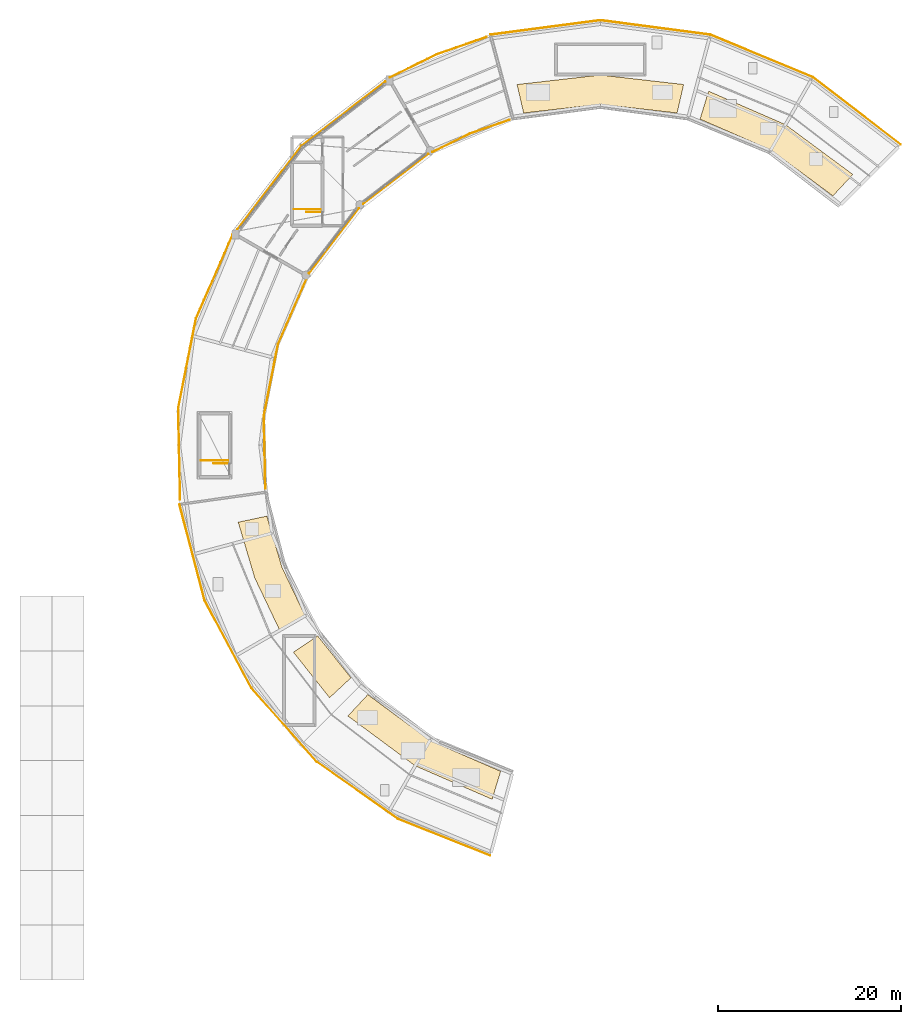
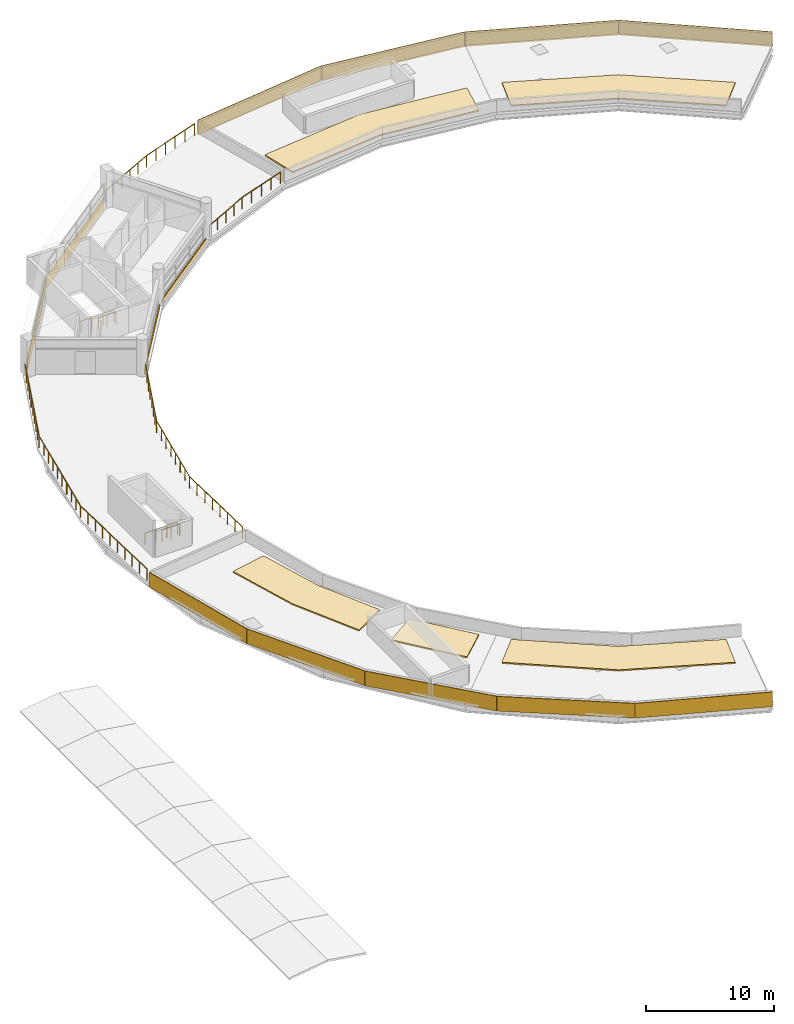
# One storey, part 12 of 12: 18 coverings, 8 railings.
"""IFC4 building model written with IfcOpenShell, lengths in metres."""

from ifc_helpers import new_model, si_unit, direction, frame, frame_2d, origin, origin_2d, place, context, subcontext, project, spatial, polyline, rectangle, circle, outline, extrude, material, layer, layer_set, type_object, element, save


model = new_model("IFC4")

# Units and contexts
model_context = context("Model", 3, precision=1e-05, world=origin(), true_north=direction((0.0, 1.0)))
body_context = subcontext(model_context, "Body", "Model", "MODEL_VIEW")
ifc_project = project(units=[si_unit("LENGTHUNIT", "METRE"), si_unit("AREAUNIT", "SQUARE_METRE"), si_unit("VOLUMEUNIT", "CUBIC_METRE"), si_unit("PLANEANGLEUNIT", "RADIAN"), si_unit("MASSUNIT", "GRAM", prefix="KILO")], contexts=[model_context])

# Site, building, storey
site_placement = place(None, origin())
site = spatial("IfcSite", under=ifc_project, at=site_placement, CompositionType="ELEMENT")
building_placement = place(site_placement, origin())
building = spatial("IfcBuilding", under=site, at=building_placement, Name="Vespera Passage Community Centre", CompositionType="ELEMENT")
storey_placement = place(building_placement, frame((0.0, 0.0, 24.300048828125)))
storey = spatial("IfcBuildingStorey", under=building, at=storey_placement, Name="ROOF", CompositionType="ELEMENT", Elevation=24.300048828125)

# Coverings
ifc_material_1 = material(Name="Precast concrete f'c 40 MPa", Category="concrete")
ifc_layer_1 = layer(ifc_material_1, 0.06005859375)
ifc_layer_set_1 = layer_set([ifc_layer_1], Name="Precast concrete f'c 40 MPa")
covering_type_1 = type_object("IfcCoveringType", Name="COV-CLAD-60E", PredefinedType="CLADDING", material=ifc_layer_set_1)
covering_1_placement = place(storey_placement, frame((45.298828125, 98.232421875, -0.280029296875), z_axis=(0.0, 0.0, 1.0), x_axis=(0.793347191248, 0.608769442514, 0.0)))
element("IfcCovering", 1, at=covering_1_placement, inside=storey, type_object=covering_type_1, Name="V4 ROOF Outer White Spandrel Band O8", PredefinedType="CLADDING", context=body_context, shape_type="SweptSolid", body=[
    extrude(rectangle(XDim=11.5869140625, YDim=0.06005859375, at=frame_2d((5.79345703125, 0.0))), origin(), (0.0, 0.0, 1.0), 1.10009765625),
])
covering_2_placement = place(storey_placement, frame((59.214111328125, 97.378173828125, -0.280029296875), z_axis=(0.0, 0.0, 1.0), x_axis=(-0.793350132061, -0.608765610033, 0.0)))
element("IfcCovering", 2, at=covering_2_placement, inside=storey, type_object=covering_type_1, Name="V4 ROOF Inner Court White Spandrel Band I8", PredefinedType="CLADDING", context=body_context, shape_type="SweptSolid", body=[
    extrude(rectangle(XDim=9.004638671875, YDim=0.06005859375, at=frame_2d((4.50244140625, 0.0))), origin(), (0.0, 0.0, 1.0), 0.429931640625),
])
covering_3_placement = place(storey_placement, frame((38.301025390625, 89.122314453125, -0.280029296875), z_axis=(0.0, 0.0, 1.0), x_axis=(0.608766951842, 0.793349102441, 0.0)))
element("IfcCovering", 3, at=covering_3_placement, inside=storey, type_object=covering_type_1, Name="V4 ROOF Outer White Spandrel Band O9", PredefinedType="CLADDING", context=body_context, shape_type="SweptSolid", body=[
    extrude(rectangle(XDim=11.443603515625, YDim=0.06005859375, at=frame_2d((5.7216796875, 0.0))), origin(), (0.0, 0.0, 1.0), 1.10009765625),
])
covering_4_placement = place(storey_placement, frame((51.603515625, 91.4296875, -0.280029296875), z_axis=(0.0, 0.0, 1.0), x_axis=(-0.608765610033, -0.793350132061, 0.0)))
element("IfcCovering", 4, at=covering_4_placement, inside=storey, type_object=covering_type_1, Name="V4 ROOF Inner Court White Spandrel Band I9", PredefinedType="CLADDING", context=body_context, shape_type="SweptSolid", body=[
    extrude(rectangle(XDim=9.004638671875, YDim=0.06005859375, at=frame_2d((4.50244140625, 0.0))), origin(), (0.0, 0.0, 1.0), 0.429931640625),
])
for number, where, z_axis, x_axis, name in (
    (5, (110.859619140625, 98.385498046875, -0.280029296875), (0.0, 0.0, 1.0), (-0.79334875863, 0.608767399899, 0.0), "V4 Roof Crown White Band E1"),
    (6, (101.228515625, 105.76953125, -0.280029296875), (0.0, 0.0, 1.0), (-0.923879608086, 0.382683249912, 0.0), "V4 Roof Crown White Band E2"),
    (7, (90.0146484375, 110.409423828125, -0.280029296875), (0.0, 0.0, 1.0), (-0.991444884284, 0.130526018203, 0.0), "V4 Roof Crown White Band E3"),
    (8, (77.981689453125, 111.98876953125, -0.280029296875), (0.0, 0.0, 1.0), (-0.991444884284, -0.130526018203, 0.0), "V4 Roof Crown White Band E4"),
):
    element("IfcCovering", number, at=place(storey_placement, frame(where, z_axis=z_axis, x_axis=x_axis)), inside=storey, type_object=covering_type_1, Name=name, PredefinedType="CLADDING", context=body_context, shape_type="SweptSolid", body=[
        extrude(rectangle(XDim=12.099853515625, YDim=0.06005859375, at=frame_2d((6.0498046875, 0.0))), origin(), (0.0, 0.0, 1.0), 1.39990234375),
    ])
for number, where, z_axis, x_axis, name in (
    (9, (31.9658203125, 59.013916015625, -0.280029296875), (0.0, 0.0, 1.0), (0.253747657964, -0.967270451362, 0.0), "V4 Roof Crown White Band W1"),
    (10, (34.72216796875, 48.522216796875, -0.280029296875), (0.0, 0.0, 1.0), (0.470990052133, -0.882138521317, 0.0), "V4 Roof Crown White Band W2"),
):
    element("IfcCovering", number, at=place(storey_placement, frame(where, z_axis=z_axis, x_axis=x_axis)), inside=storey, type_object=covering_type_1, Name=name, PredefinedType="CLADDING", context=body_context, shape_type="SweptSolid", body=[
        extrude(rectangle(XDim=10.8154296875, YDim=0.06005859375, at=frame_2d((5.40771484375, 0.0))), origin(), (0.0, 0.0, 1.0), 1.39990234375),
    ])
covering_5_placement = place(storey_placement, frame((39.834716796875, 38.95458984375, -0.280029296875), z_axis=(0.0, 0.0, 1.0), x_axis=(0.662627457845, -0.748949165237, 0.0)))
element("IfcCovering", 11, at=covering_5_placement, inside=storey, type_object=covering_type_1, Name="V4 Roof Crown White Band W3", PredefinedType="CLADDING", context=body_context, shape_type="SweptSolid", body=[
    extrude(rectangle(XDim=10.815185546875, YDim=0.06005859375, at=frame_2d((5.40771484375, 0.0))), origin(), (0.0, 0.0, 1.0), 1.39990234375),
])
for number, where, z_axis, x_axis, name in (
    (12, (47.025634765625, 30.832763671875, -0.280029296875), (0.0, 0.0, 1.0), (0.818146636057, -0.575009636361, 0.0), "V4 Roof Crown White Band W4"),
    (13, (55.903076171875, 24.59814453125, -0.280029296875), (0.0, 0.0, 1.0), (0.929129107754, -0.369755461249, 0.0), "V4 Roof Crown White Band W5"),
):
    element("IfcCovering", number, at=place(storey_placement, frame(where, z_axis=z_axis, x_axis=x_axis)), inside=storey, type_object=covering_type_1, Name=name, PredefinedType="CLADDING", context=body_context, shape_type="SweptSolid", body=[
        extrude(rectangle(XDim=10.8154296875, YDim=0.06005859375, at=frame_2d((5.40771484375, 0.0))), origin(), (0.0, 0.0, 1.0), 1.39990234375),
    ])
ifc_material_2 = material(Name="TPO roof membrane and rigid insulation")
ifc_layer_2 = layer(ifc_material_2, 0.1201171875)
ifc_layer_set_2 = layer_set([ifc_layer_2], Name="TPO roof membrane and rigid insulation")
covering_type_2 = type_object("IfcCoveringType", Name="COV-ROOF-120E", PredefinedType="ROOFING", material=ifc_layer_set_2)
covering_6_placement = place(storey_placement, origin())
element("IfcCovering", 14, at=covering_6_placement, inside=storey, type_object=covering_type_2, Name="V4 Cool Roof Membrane Sector 1", PredefinedType="ROOFING", context=body_context, shape_type="SweptSolid", body=[
    extrude(outline(polyline([(105.620849609375, 95.119873046875), (98.25, 100.573974609375), (89.841064453125, 104.230224609375), (88.905517578125, 101.170166015625), (96.64990234375, 97.802734375), (103.4384765625, 92.779541015625), (105.620849609375, 95.119873046875)])), origin(), (0.0, 0.0, 1.0), 0.119873046875),
])
covering_7_placement = place(storey_placement, origin())
element("IfcCovering", 15, at=covering_7_placement, inside=storey, type_object=covering_type_2, Name="V4 Cool Roof Membrane Sector 2", PredefinedType="ROOFING", context=body_context, shape_type="SweptSolid", body=[
    extrude(outline(polyline([(87.110595703125, 104.9619140625), (78.0, 106.0), (68.889404296875, 104.9619140625), (69.609375, 101.843994140625), (78.0, 102.800048828125), (86.390625, 101.843994140625), (87.110595703125, 104.9619140625)])), origin(), (0.0, 0.0, 1.0), 0.119873046875),
])
covering_8_placement = place(storey_placement, origin())
element("IfcCovering", 16, at=covering_8_placement, inside=storey, type_object=covering_type_2, Name="V4 Cool Roof Membrane Sector 3", PredefinedType="ROOFING", context=body_context, shape_type="SweptSolid", body=[
    extrude(outline(polyline([(38.385009765625, 57.07958984375), (40.18994140625, 50.986083984375), (42.926025390625, 45.25), (45.697265625, 46.85009765625), (43.177490234375, 52.1328125), (41.51513671875, 57.744873046875), (38.385009765625, 57.07958984375)])), origin(), (0.0, 0.0, 1.0), 0.119873046875),
])
covering_9_placement = place(storey_placement, origin())
element("IfcCovering", 17, at=covering_9_placement, inside=storey, type_object=covering_type_2, Name="V4 Cool Roof Membrane Sector 4", PredefinedType="ROOFING", context=body_context, shape_type="SweptSolid", body=[
    extrude(outline(polyline([(44.424072265625, 42.852783203125), (48.380126953125, 37.879150390625), (50.720458984375, 40.0615234375), (47.076904296875, 44.64208984375), (44.424072265625, 42.852783203125)])), origin(), (0.0, 0.0, 1.0), 0.119873046875),
])
covering_10_placement = place(storey_placement, origin())
element("IfcCovering", 18, at=covering_10_placement, inside=storey, type_object=covering_type_2, Name="V4 Cool Roof Membrane Sector 5", PredefinedType="ROOFING", context=body_context, shape_type="SweptSolid", body=[
    extrude(outline(polyline([(50.379150390625, 35.880126953125), (57.75, 30.426025390625), (66.158935546875, 26.769775390625), (67.094482421875, 29.829833984375), (59.35009765625, 33.197265625), (52.5615234375, 38.220458984375), (50.379150390625, 35.880126953125)])), origin(), (0.0, 0.0, 1.0), 0.119873046875),
])

# Railings
ifc_material_3 = material(Name="Steel ASTM A500 Grade C", Category="steel")
railing_type_1 = type_object("IfcRailingType", Name="RL-EXT-1100E", PredefinedType="GUARDRAIL", material=ifc_material_3)
railing_1_placement = place(storey_placement, frame((65.53564453125, 110.142578125, 0.0)))
element("IfcRailing", 19, at=railing_1_placement, inside=storey, type_object=railing_type_1, Name="ROOF Walkway Outer Guard", PredefinedType="GUARDRAIL", context=body_context, shape_type="SweptSolid", body=[
    extrude(circle(Radius=0.02392578125, at=origin_2d()), frame((0.0, 0.0, 1.09619140625), z_axis=(-0.944657921031, -0.328057025885, 0.0), x_axis=(0.328057025885, -0.944657921031, 0.0)), (0.0, 0.0, 1.0), 5.739990234375),
    extrude(circle(Radius=0.02392578125, at=origin_2d()), frame((-5.42236328125, -1.883056640625, 1.09619140625), z_axis=(-0.896880577838, -0.44227279941, 0.0), x_axis=(0.44227279941, -0.896880577838, 0.0)), (0.0, 0.0, 1.0), 5.73974609375),
    extrude(circle(Radius=0.02099609375, at=origin_2d()), origin(), (0.0, 0.0, 1.0), 1.072021484375),
    extrude(circle(Radius=0.02099609375, at=origin_2d()), frame((-1.08447265625, -0.376708984375, 0.0)), (0.0, 0.0, 1.0), 1.072021484375),
    extrude(circle(Radius=0.02099609375, at=origin_2d()), frame((-2.1689453125, -0.753173828125, 0.0)), (0.0, 0.0, 1.0), 1.072021484375),
    extrude(circle(Radius=0.02099609375, at=origin_2d()), frame((-3.25341796875, -1.1298828125, 0.0)), (0.0, 0.0, 1.0), 1.072021484375),
    extrude(circle(Radius=0.02099609375, at=origin_2d()), frame((-4.337890625, -1.50634765625, 0.0)), (0.0, 0.0, 1.0), 1.072021484375),
    extrude(circle(Radius=0.02099609375, at=origin_2d()), frame((-5.42236328125, -1.883056640625, 0.0)), (0.0, 0.0, 1.0), 1.072021484375),
    extrude(circle(Radius=0.02099609375, at=origin_2d()), frame((-6.451904296875, -2.390869140625, 0.0)), (0.0, 0.0, 1.0), 1.072021484375),
    extrude(circle(Radius=0.02099609375, at=origin_2d()), frame((-7.4814453125, -2.8984375, 0.0)), (0.0, 0.0, 1.0), 1.072021484375),
    extrude(circle(Radius=0.02099609375, at=origin_2d()), frame((-8.51123046875, -3.40625, 0.0)), (0.0, 0.0, 1.0), 1.072021484375),
    extrude(circle(Radius=0.02099609375, at=origin_2d()), frame((-9.540771484375, -3.913818359375, 0.0)), (0.0, 0.0, 1.0), 1.072021484375),
    extrude(circle(Radius=0.02099609375, at=origin_2d()), frame((-10.5703125, -4.421630859375, 0.0)), (0.0, 0.0, 1.0), 1.072021484375),
])
railing_2_placement = place(storey_placement, frame((68.0634765625, 101.0888671875, 0.0)))
element("IfcRailing", 20, at=railing_2_placement, inside=storey, type_object=railing_type_1, Name="ROOF Walkway Inner Guard", PredefinedType="GUARDRAIL", context=body_context, shape_type="SweptSolid", body=[
    extrude(circle(Radius=0.02392578125, at=origin_2d()), frame((0.0, 0.0, 1.09619140625), z_axis=(-0.944672286539, -0.328015656706, 0.0), x_axis=(0.328015656706, -0.944672286539, 0.0)), (0.0, 0.0, 1.0), 4.575927734375),
    extrude(circle(Radius=0.02392578125, at=origin_2d()), frame((-4.32275390625, -1.5009765625, 1.09619140625), z_axis=(-0.896867971363, -0.442298363034, 0.0), x_axis=(0.442298363034, -0.896867971363, 0.0)), (0.0, 0.0, 1.0), 4.575927734375),
    extrude(circle(Radius=0.02099609375, at=origin_2d()), origin(), (0.0, 0.0, 1.0), 1.072021484375),
    extrude(circle(Radius=0.02099609375, at=origin_2d()), frame((-1.08056640625, -0.375244140625, 0.0)), (0.0, 0.0, 1.0), 1.072021484375),
    extrude(circle(Radius=0.02099609375, at=origin_2d()), frame((-2.161376953125, -0.75048828125, 0.0)), (0.0, 0.0, 1.0), 1.072021484375),
    extrude(circle(Radius=0.02099609375, at=origin_2d()), frame((-3.2421875, -1.125732421875, 0.0)), (0.0, 0.0, 1.0), 1.072021484375),
    extrude(circle(Radius=0.02099609375, at=origin_2d()), frame((-4.32275390625, -1.5009765625, 0.0)), (0.0, 0.0, 1.0), 1.072021484375),
    extrude(circle(Radius=0.02099609375, at=origin_2d()), frame((-5.3486328125, -2.0068359375, 0.0)), (0.0, 0.0, 1.0), 1.072021484375),
    extrude(circle(Radius=0.02099609375, at=origin_2d()), frame((-6.374755859375, -2.512939453125, 0.0)), (0.0, 0.0, 1.0), 1.072021484375),
    extrude(circle(Radius=0.02099609375, at=origin_2d()), frame((-7.40087890625, -3.01904296875, 0.0)), (0.0, 0.0, 1.0), 1.072021484375),
    extrude(circle(Radius=0.02099609375, at=origin_2d()), frame((-8.4267578125, -3.52490234375, 0.0)), (0.0, 0.0, 1.0), 1.072021484375),
])
railing_3_placement = place(storey_placement, frame((37.779052734375, 88.53466796875, 0.0)))
element("IfcRailing", 21, at=railing_3_placement, inside=storey, type_object=railing_type_1, Name="ROOF West Walkway Outer Guard", PredefinedType="GUARDRAIL", context=body_context, shape_type="SweptSolid", body=[
    extrude(circle(Radius=0.02392578125, at=origin_2d()), frame((0.0, 0.0, 1.09619140625), z_axis=(-0.400349285853, -0.9163626189, 0.0), x_axis=(0.9163626189, -0.400349285853, 0.0)), (0.0, 0.0, 1.0), 10.011474609375),
    extrude(circle(Radius=0.02392578125, at=origin_2d()), frame((-4.008056640625, -9.174072265625, 1.09619140625), z_axis=(-0.194235231541, -0.98095498104, 0.0), x_axis=(0.98095498104, -0.194235231541, 0.0)), (0.0, 0.0, 1.0), 10.011474609375),
    extrude(circle(Radius=0.02392578125, at=origin_2d()), frame((-5.95263671875, -18.994873046875, 1.09619140625), z_axis=(0.020922758595, -0.999781095127, 0.0), x_axis=(0.999781095127, 0.020922758595, 0.0)), (0.0, 0.0, 1.0), 10.01171875),
    extrude(circle(Radius=0.02099609375, at=origin_2d()), origin(), (0.0, 0.0, 1.0), 1.072021484375),
    extrude(circle(Radius=0.02099609375, at=origin_2d()), frame((-0.4453125, -1.019287109375, 0.0)), (0.0, 0.0, 1.0), 1.072021484375),
    extrude(circle(Radius=0.02099609375, at=origin_2d()), frame((-0.890625, -2.03857421875, 0.0)), (0.0, 0.0, 1.0), 1.072021484375),
    extrude(circle(Radius=0.02099609375, at=origin_2d()), frame((-1.3359375, -3.05810546875, 0.0)), (0.0, 0.0, 1.0), 1.072021484375),
    extrude(circle(Radius=0.02099609375, at=origin_2d()), frame((-1.78125, -4.077392578125, 0.0)), (0.0, 0.0, 1.0), 1.072021484375),
    extrude(circle(Radius=0.02099609375, at=origin_2d()), frame((-2.226806640625, -5.0966796875, 0.0)), (0.0, 0.0, 1.0), 1.072021484375),
    extrude(circle(Radius=0.02099609375, at=origin_2d()), frame((-2.672119140625, -6.115966796875, 0.0)), (0.0, 0.0, 1.0), 1.072021484375),
    extrude(circle(Radius=0.02099609375, at=origin_2d()), frame((-3.117431640625, -7.135498046875, 0.0)), (0.0, 0.0, 1.0), 1.072021484375),
    extrude(circle(Radius=0.02099609375, at=origin_2d()), frame((-3.562744140625, -8.15478515625, 0.0)), (0.0, 0.0, 1.0), 1.072021484375),
    extrude(circle(Radius=0.02099609375, at=origin_2d()), frame((-4.008056640625, -9.174072265625, 0.0)), (0.0, 0.0, 1.0), 1.072021484375),
    extrude(circle(Radius=0.02099609375, at=origin_2d()), frame((-4.22412109375, -10.265380859375, 0.0)), (0.0, 0.0, 1.0), 1.072021484375),
    extrude(circle(Radius=0.02099609375, at=origin_2d()), frame((-4.440185546875, -11.3564453125, 0.0)), (0.0, 0.0, 1.0), 1.072021484375),
    extrude(circle(Radius=0.02099609375, at=origin_2d()), frame((-4.65625, -12.44775390625, 0.0)), (0.0, 0.0, 1.0), 1.072021484375),
    extrude(circle(Radius=0.02099609375, at=origin_2d()), frame((-4.872314453125, -13.538818359375, 0.0)), (0.0, 0.0, 1.0), 1.072021484375),
    extrude(circle(Radius=0.02099609375, at=origin_2d()), frame((-5.08837890625, -14.630126953125, 0.0)), (0.0, 0.0, 1.0), 1.072021484375),
    extrude(circle(Radius=0.02099609375, at=origin_2d()), frame((-5.304443359375, -15.72119140625, 0.0)), (0.0, 0.0, 1.0), 1.072021484375),
    extrude(circle(Radius=0.02099609375, at=origin_2d()), frame((-5.5205078125, -16.8125, 0.0)), (0.0, 0.0, 1.0), 1.072021484375),
    extrude(circle(Radius=0.02099609375, at=origin_2d()), frame((-5.736572265625, -17.903564453125, 0.0)), (0.0, 0.0, 1.0), 1.072021484375),
    extrude(circle(Radius=0.02099609375, at=origin_2d()), frame((-5.95263671875, -18.994873046875, 0.0)), (0.0, 0.0, 1.0), 1.072021484375),
    extrude(circle(Radius=0.02099609375, at=origin_2d()), frame((-5.929443359375, -20.10693359375, 0.0)), (0.0, 0.0, 1.0), 1.072021484375),
    extrude(circle(Radius=0.02099609375, at=origin_2d()), frame((-5.906005859375, -21.21923828125, 0.0)), (0.0, 0.0, 1.0), 1.072021484375),
    extrude(circle(Radius=0.02099609375, at=origin_2d()), frame((-5.8828125, -22.331298828125, 0.0)), (0.0, 0.0, 1.0), 1.072021484375),
    extrude(circle(Radius=0.02099609375, at=origin_2d()), frame((-5.859619140625, -23.443603515625, 0.0)), (0.0, 0.0, 1.0), 1.072021484375),
    extrude(circle(Radius=0.02099609375, at=origin_2d()), frame((-5.836181640625, -24.5556640625, 0.0)), (0.0, 0.0, 1.0), 1.072021484375),
    extrude(circle(Radius=0.02099609375, at=origin_2d()), frame((-5.81298828125, -25.66796875, 0.0)), (0.0, 0.0, 1.0), 1.072021484375),
    extrude(circle(Radius=0.02099609375, at=origin_2d()), frame((-5.789794921875, -26.780029296875, 0.0)), (0.0, 0.0, 1.0), 1.072021484375),
    extrude(circle(Radius=0.02099609375, at=origin_2d()), frame((-5.766357421875, -27.892333984375, 0.0)), (0.0, 0.0, 1.0), 1.072021484375),
    extrude(circle(Radius=0.02099609375, at=origin_2d()), frame((-5.7431640625, -29.00439453125, 0.0)), (0.0, 0.0, 1.0), 1.072021484375),
])
railing_4_placement = place(storey_placement, frame((45.93603515625, 83.86328125, 0.0)))
element("IfcRailing", 22, at=railing_4_placement, inside=storey, type_object=railing_type_1, Name="ROOF West Walkway Inner Guard", PredefinedType="GUARDRAIL", context=body_context, shape_type="SweptSolid", body=[
    extrude(circle(Radius=0.02392578125, at=origin_2d()), frame((0.0, 0.0, 1.09619140625), z_axis=(-0.400351819834, -0.916361511826, 0.0), x_axis=(0.916361511826, -0.400351819834, 0.0)), (0.0, 0.0, 1.0), 7.981201171875),
    extrude(circle(Radius=0.02392578125, at=origin_2d()), frame((-3.1953125, -7.313720703125, 1.09619140625), z_axis=(-0.19421565978, -0.980958856169, 0.0), x_axis=(0.980958856169, -0.19421565978, 0.0)), (0.0, 0.0, 1.0), 7.98095703125),
    extrude(circle(Radius=0.02392578125, at=origin_2d()), frame((-4.745361328125, -15.142822265625, 1.09619140625), z_axis=(0.020953665609, -0.999780447847, 0.0), x_axis=(0.999780447847, 0.020953665609, 0.0)), (0.0, 0.0, 1.0), 7.981201171875),
    extrude(circle(Radius=0.02099609375, at=origin_2d()), origin(), (0.0, 0.0, 1.0), 1.072021484375),
    extrude(circle(Radius=0.02099609375, at=origin_2d()), frame((-0.45654296875, -1.044921875, 0.0)), (0.0, 0.0, 1.0), 1.072021484375),
    extrude(circle(Radius=0.02099609375, at=origin_2d()), frame((-0.912841796875, -2.089599609375, 0.0)), (0.0, 0.0, 1.0), 1.072021484375),
    extrude(circle(Radius=0.02099609375, at=origin_2d()), frame((-1.369384765625, -3.134521484375, 0.0)), (0.0, 0.0, 1.0), 1.072021484375),
    extrude(circle(Radius=0.02099609375, at=origin_2d()), frame((-1.825927734375, -4.17919921875, 0.0)), (0.0, 0.0, 1.0), 1.072021484375),
    extrude(circle(Radius=0.02099609375, at=origin_2d()), frame((-2.282470703125, -5.22412109375, 0.0)), (0.0, 0.0, 1.0), 1.072021484375),
    extrude(circle(Radius=0.02099609375, at=origin_2d()), frame((-2.73876953125, -6.268798828125, 0.0)), (0.0, 0.0, 1.0), 1.072021484375),
    extrude(circle(Radius=0.02099609375, at=origin_2d()), frame((-3.1953125, -7.313720703125, 0.0)), (0.0, 0.0, 1.0), 1.072021484375),
    extrude(circle(Radius=0.02099609375, at=origin_2d()), frame((-3.416748046875, -8.43212890625, 0.0)), (0.0, 0.0, 1.0), 1.072021484375),
    extrude(circle(Radius=0.02099609375, at=origin_2d()), frame((-3.63818359375, -9.550537109375, 0.0)), (0.0, 0.0, 1.0), 1.072021484375),
    extrude(circle(Radius=0.02099609375, at=origin_2d()), frame((-3.859619140625, -10.6689453125, 0.0)), (0.0, 0.0, 1.0), 1.072021484375),
    extrude(circle(Radius=0.02099609375, at=origin_2d()), frame((-4.0810546875, -11.78759765625, 0.0)), (0.0, 0.0, 1.0), 1.072021484375),
    extrude(circle(Radius=0.02099609375, at=origin_2d()), frame((-4.302490234375, -12.906005859375, 0.0)), (0.0, 0.0, 1.0), 1.072021484375),
    extrude(circle(Radius=0.02099609375, at=origin_2d()), frame((-4.52392578125, -14.0244140625, 0.0)), (0.0, 0.0, 1.0), 1.072021484375),
    extrude(circle(Radius=0.02099609375, at=origin_2d()), frame((-4.745361328125, -15.142822265625, 0.0)), (0.0, 0.0, 1.0), 1.072021484375),
    extrude(circle(Radius=0.02099609375, at=origin_2d()), frame((-4.721435546875, -16.28271484375, 0.0)), (0.0, 0.0, 1.0), 1.072021484375),
    extrude(circle(Radius=0.02099609375, at=origin_2d()), frame((-4.697509765625, -17.422607421875, 0.0)), (0.0, 0.0, 1.0), 1.072021484375),
    extrude(circle(Radius=0.02099609375, at=origin_2d()), frame((-4.673583984375, -18.5625, 0.0)), (0.0, 0.0, 1.0), 1.072021484375),
    extrude(circle(Radius=0.02099609375, at=origin_2d()), frame((-4.64990234375, -19.70263671875, 0.0)), (0.0, 0.0, 1.0), 1.072021484375),
    extrude(circle(Radius=0.02099609375, at=origin_2d()), frame((-4.6259765625, -20.842529296875, 0.0)), (0.0, 0.0, 1.0), 1.072021484375),
    extrude(circle(Radius=0.02099609375, at=origin_2d()), frame((-4.60205078125, -21.982421875, 0.0)), (0.0, 0.0, 1.0), 1.072021484375),
    extrude(circle(Radius=0.02099609375, at=origin_2d()), frame((-4.578125, -23.122314453125, 0.0)), (0.0, 0.0, 1.0), 1.072021484375),
])
ifc_material_4 = material(Name="Steel ASTM A500 Grade C", Category="steel")
railing_type_2 = type_object("IfcRailingType", Name="RL-STAIR-1100I", PredefinedType="GUARDRAIL", material=ifc_material_4)
railing_5_placement = place(storey_placement, frame((47.43310546875, 91.028076171875, 0.0)))
element("IfcRailing", 23, at=railing_5_placement, inside=storey, type_object=railing_type_2, Name="ROOF ST03 top well guard 1", PredefinedType="GUARDRAIL", context=body_context, shape_type="SweptSolid", body=[
    extrude(circle(Radius=0.02392578125, at=origin_2d()), frame((0.0, 0.0, 1.09619140625), z_axis=(-1.0, 0.0, 0.0), x_axis=(0.0, -1.0, 0.0)), (0.0, 0.0, 1.0), 1.60009765625),
    extrude(circle(Radius=0.02099609375, at=origin_2d()), origin(), (0.0, 0.0, 1.0), 1.072021484375),
    extrude(circle(Radius=0.02099609375, at=origin_2d()), frame((-0.800048828125, 0.0, 0.0)), (0.0, 0.0, 1.0), 1.072021484375),
    extrude(circle(Radius=0.02099609375, at=origin_2d()), frame((-1.60009765625, 0.0, 0.0)), (0.0, 0.0, 1.0), 1.072021484375),
])
railing_6_placement = place(storey_placement, frame((47.4130859375, 91.318115234375, 0.0)))
element("IfcRailing", 24, at=railing_6_placement, inside=storey, type_object=railing_type_2, Name="Core C1 ROOF Stair Well Guard", PredefinedType="GUARDRAIL", context=body_context, shape_type="SweptSolid", body=[
    extrude(circle(Radius=0.02392578125, at=origin_2d()), frame((0.0, 0.0, 1.09619140625), z_axis=(-1.0, 0.0, 0.0), x_axis=(0.0, -1.0, 0.0)), (0.0, 0.0, 1.0), 2.960205078125),
    extrude(circle(Radius=0.02099609375, at=origin_2d()), origin(), (0.0, 0.0, 1.0), 1.072021484375),
    extrude(circle(Radius=0.02099609375, at=origin_2d()), frame((-0.98681640625, 0.0, 0.0)), (0.0, 0.0, 1.0), 1.072021484375),
    extrude(circle(Radius=0.02099609375, at=origin_2d()), frame((-1.973388671875, 0.0, 0.0)), (0.0, 0.0, 1.0), 1.072021484375),
    extrude(circle(Radius=0.02099609375, at=origin_2d()), frame((-2.960205078125, 0.0, 0.0)), (0.0, 0.0, 1.0), 1.072021484375),
])
railing_7_placement = place(storey_placement, frame((37.300048828125, 63.52490234375, 0.0)))
element("IfcRailing", 25, at=railing_7_placement, inside=storey, type_object=railing_type_2, Name="ROOF ST04 top well guard 1", PredefinedType="GUARDRAIL", context=body_context, shape_type="SweptSolid", body=[
    extrude(circle(Radius=0.02392578125, at=origin_2d()), frame((0.0, 0.0, 1.09619140625), z_axis=(-1.0, 0.0, 0.0), x_axis=(0.0, -1.0, 0.0)), (0.0, 0.0, 1.0), 1.60009765625),
    extrude(circle(Radius=0.02099609375, at=origin_2d()), origin(), (0.0, 0.0, 1.0), 1.072021484375),
    extrude(circle(Radius=0.02099609375, at=origin_2d()), frame((-0.800048828125, 0.0, 0.0)), (0.0, 0.0, 1.0), 1.072021484375),
    extrude(circle(Radius=0.02099609375, at=origin_2d()), frame((-1.60009765625, 0.0, 0.0)), (0.0, 0.0, 1.0), 1.072021484375),
])
railing_8_placement = place(storey_placement, frame((37.280029296875, 63.81494140625, 0.0)))
element("IfcRailing", 26, at=railing_8_placement, inside=storey, type_object=railing_type_2, Name="Core C2 ROOF Stair Well Guard", PredefinedType="GUARDRAIL", context=body_context, shape_type="SweptSolid", body=[
    extrude(circle(Radius=0.02392578125, at=origin_2d()), frame((0.0, 0.0, 1.09619140625), z_axis=(-1.0, 0.0, 0.0), x_axis=(0.0, -1.0, 0.0)), (0.0, 0.0, 1.0), 2.9599609375),
    extrude(circle(Radius=0.02099609375, at=origin_2d()), origin(), (0.0, 0.0, 1.0), 1.072021484375),
    extrude(circle(Radius=0.02099609375, at=origin_2d()), frame((-0.986572265625, 0.0, 0.0)), (0.0, 0.0, 1.0), 1.072021484375),
    extrude(circle(Radius=0.02099609375, at=origin_2d()), frame((-1.973388671875, 0.0, 0.0)), (0.0, 0.0, 1.0), 1.072021484375),
    extrude(circle(Radius=0.02099609375, at=origin_2d()), frame((-2.9599609375, 0.0, 0.0)), (0.0, 0.0, 1.0), 1.072021484375),
])

save(model, "model.ifc")
